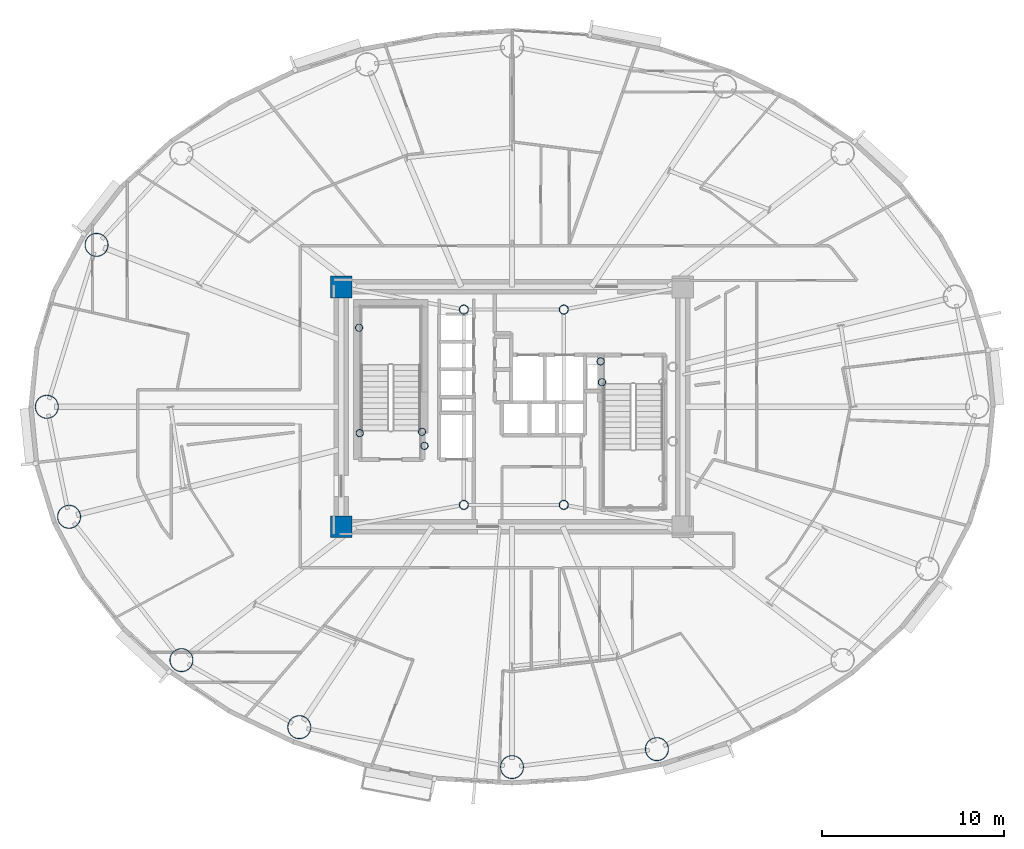
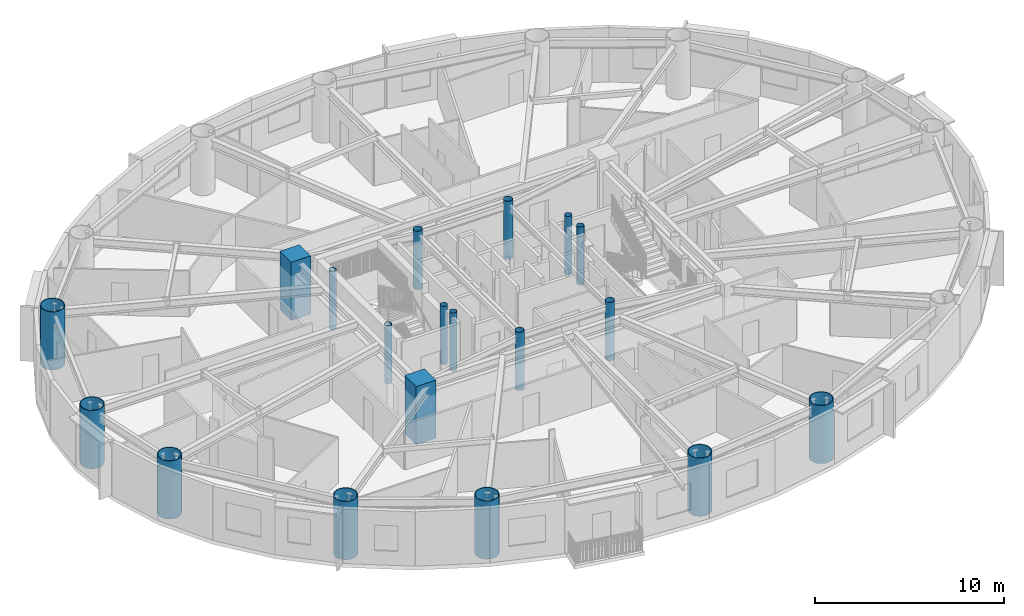
# One storey, part 1 of 19: 19 columns.
"""IFC4 building model written with IfcOpenShell, lengths in metres."""

from ifc_helpers import new_model, si_unit, direction, frame, origin, origin_2d, place, context, subcontext, project, spatial, rectangle, hollow_circle, extrude, material, material_profile, profile_set, type_object, element, save


model = new_model("IFC4")

# Units and contexts
model_context = context("Model", 3, precision=1e-05, world=origin(), true_north=direction((0.0, 1.0)))
body_context = subcontext(model_context, "Body", "Model", "MODEL_VIEW")
ifc_project = project(units=[si_unit("LENGTHUNIT", "METRE"), si_unit("AREAUNIT", "SQUARE_METRE"), si_unit("VOLUMEUNIT", "CUBIC_METRE"), si_unit("PLANEANGLEUNIT", "RADIAN"), si_unit("MASSUNIT", "GRAM", prefix="KILO")], contexts=[model_context])

# Site, building, storey
site_placement = place(None, origin())
site = spatial("IfcSite", under=ifc_project, at=site_placement, CompositionType="ELEMENT")
building_placement = place(site_placement, origin())
building = spatial("IfcBuilding", under=site, at=building_placement, Name="Linh Dai School and Residence Tower", CompositionType="ELEMENT")
storey_placement = place(building_placement, frame((0.0, 0.0, 174.89990234375)))
storey = spatial("IfcBuildingStorey", under=building, at=storey_placement, Name="L42", CompositionType="ELEMENT", Elevation=174.89990234375)

# Columns
ifc_material_1 = material(Name="Concrete B60 (C50/60)", Category="concrete")
ifc_material_profile_1 = material_profile(ifc_material_1, rectangle(XDim=1.199951171875, YDim=1.199951171875, at=origin_2d()), Name="RC 1200x1200")
ifc_profile_set_1 = profile_set([ifc_material_profile_1], Name="Concrete B60 (C50/60)")
column_type_1 = type_object("IfcColumnType", Name="COL-CC2", PredefinedType="COLUMN", material=ifc_profile_set_1)
for number, where, z_axis, x_axis, name in (
    (1, (26.60009765625, 20.39990234375, 0.0), (0.0, 0.0, 1.0), (1.0, 0.0, 0.0), "L42 Core Corner Pier CC1"),
    (2, (26.60009765625, 33.60009765625, 0.0), (0.0, 0.0, 1.0), (1.0, 0.0, 0.0), "L42 Core Corner Pier CC4"),
):
    element("IfcColumn", number, at=place(storey_placement, frame(where, z_axis=z_axis, x_axis=x_axis)), inside=storey, type_object=column_type_1, Name=name, PredefinedType="COLUMN", context=body_context, shape_type="SweptSolid", body=[
        extrude(rectangle(XDim=1.199951171875, YDim=1.199951171875, at=origin_2d()), origin(), (0.0, 0.0, 1.0), 3.75),
    ])
ifc_material_2 = material(Name="Structural Steel S355JR", Category="steel")
ifc_material_profile_2 = material_profile(ifc_material_2, hollow_circle(Radius=0.203125, WallThickness=0.01611328125, at=origin_2d()), Name="CHS 406.4x16")
ifc_profile_set_2 = profile_set([ifc_material_profile_2], Name="Structural Steel S355JR")
column_type_2 = type_object("IfcColumnType", Name="COL-EC", PredefinedType="COLUMN", material=ifc_profile_set_2)
for number, where, z_axis, x_axis, name in (
    (3, (27.580078125, 31.35009765625, 0.0), (0.0, 0.0, 1.0), (1.0, 0.0, 0.0), "L42 Stair Shaft Landing Support Pier ST1NW"),
    (4, (31.050048828125, 25.6201171875, 0.0), (0.0, 0.0, 1.0), (1.0, 0.0, 0.0), "L42 Stair Shaft Landing Support Pier ST1SE"),
    (5, (31.179931640625, 24.85009765625, 0.0), (0.0, 0.0, 1.0), (1.0, 0.0, 0.0), "L42 Stair Shaft Landing Support Pier ST1SM"),
    (6, (27.6201171875, 25.550048828125, 0.0), (0.0, 0.0, 1.0), (1.0, 0.0, 0.0), "L42 Stair Shaft Landing Support Pier ST1SW"),
    (7, (40.949951171875, 28.35009765625, 0.0), (0.0, 0.0, 1.0), (1.0, 0.0, 0.0), "L42 Stair Shaft Landing Support Pier ST2N1"),
    (8, (40.8798828125, 29.5, 0.0), (0.0, 0.0, 1.0), (1.0, 0.0, 0.0), "L42 Stair Shaft Landing Support Pier ST2N3"),
):
    element("IfcColumn", number, at=place(storey_placement, frame(where, z_axis=z_axis, x_axis=x_axis)), inside=storey, type_object=column_type_2, Name=name, PredefinedType="COLUMN", context=body_context, shape_type="SweptSolid", body=[
        extrude(hollow_circle(Radius=0.203125, WallThickness=0.01611328125, at=origin_2d()), origin(), (0.0, 0.0, 1.0), 3.75),
    ])
ifc_material_profile_3 = material_profile(ifc_material_2, hollow_circle(Radius=0.64990234375, WallThickness=0.0400390625, at=origin_2d()), Name="CHS 1300x40")
ifc_profile_set_3 = profile_set([ifc_material_profile_3], Name="Structural Steel S355JR")
column_type_3 = type_object("IfcColumnType", Name="COL-MC4", PredefinedType="COLUMN", material=ifc_profile_set_3)
for number, where, z_axis, x_axis, name in (
    (9, (13.137451171875, 35.9111328125, 0.0), (0.0, 0.0, 1.0), (1.0, 0.0, 0.0), "L42 Perimeter CFT Mega-Column MC08"),
    (10, (10.39990234375, 27.0, 0.0), (0.0, 0.0, 1.0), (1.0, 0.0, 0.0), "L42 Perimeter CFT Mega-Column MC09"),
    (11, (11.62548828125, 20.946533203125, 0.0), (0.0, 0.0, 1.0), (1.0, 0.0, 0.0), "L42 Perimeter CFT Mega-Column MC10"),
    (12, (17.8076171875, 13.058349609375, 0.0), (0.0, 0.0, 1.0), (1.0, 0.0, 0.0), "L42 Perimeter CFT Mega-Column MC11"),
    (13, (24.29443359375, 9.369140625, 0.0), (0.0, 0.0, 1.0), (1.0, 0.0, 0.0), "L42 Perimeter CFT Mega-Column MC12"),
    (14, (36.0, 7.169921875, 0.0), (0.0, 0.0, 1.0), (1.0, 0.0, 0.0), "L42 Perimeter CFT Mega-Column MC13"),
    (15, (43.973388671875, 8.15869140625, 0.0), (0.0, 0.0, 1.0), (1.0, 0.0, 0.0), "L42 Perimeter CFT Mega-Column MC14"),
):
    element("IfcColumn", number, at=place(storey_placement, frame(where, z_axis=z_axis, x_axis=x_axis)), inside=storey, type_object=column_type_3, Name=name, PredefinedType="COLUMN", context=body_context, shape_type="SweptSolid", body=[
        extrude(hollow_circle(Radius=0.64990234375, WallThickness=0.0400390625, at=origin_2d()), origin(), (0.0, 0.0, 1.0), 3.75),
    ])
ifc_material_profile_4 = material_profile(ifc_material_2, hollow_circle(Radius=0.25390625, WallThickness=0.02001953125, at=origin_2d()), Name="CHS 508x20")
ifc_profile_set_4 = profile_set([ifc_material_profile_4], Name="Structural Steel S355JR")
column_type_4 = type_object("IfcColumnType", Name="COL-MCP", PredefinedType="COLUMN", material=ifc_profile_set_4)
for number, where, z_axis, x_axis, name in (
    (16, (33.35009765625, 21.60009765625, 0.0), (0.0, 0.0, 1.0), (1.0, 0.0, 0.0), "L42 Core Mast Support Pier MCP1"),
    (17, (38.85009765625, 21.60009765625, 0.0), (0.0, 0.0, 1.0), (1.0, 0.0, 0.0), "L42 Core Mast Support Pier MCP2"),
    (18, (38.85009765625, 32.35009765625, 0.0), (0.0, 0.0, 1.0), (1.0, 0.0, 0.0), "L42 Core Mast Support Pier MCP3"),
    (19, (33.35009765625, 32.35009765625, 0.0), (0.0, 0.0, 1.0), (1.0, 0.0, 0.0), "L42 Core Mast Support Pier MCP4"),
):
    element("IfcColumn", number, at=place(storey_placement, frame(where, z_axis=z_axis, x_axis=x_axis)), inside=storey, type_object=column_type_4, Name=name, PredefinedType="COLUMN", context=body_context, shape_type="SweptSolid", body=[
        extrude(hollow_circle(Radius=0.25390625, WallThickness=0.02001953125, at=origin_2d()), origin(), (0.0, 0.0, 1.0), 3.75),
    ])

save(model, "model.ifc")
